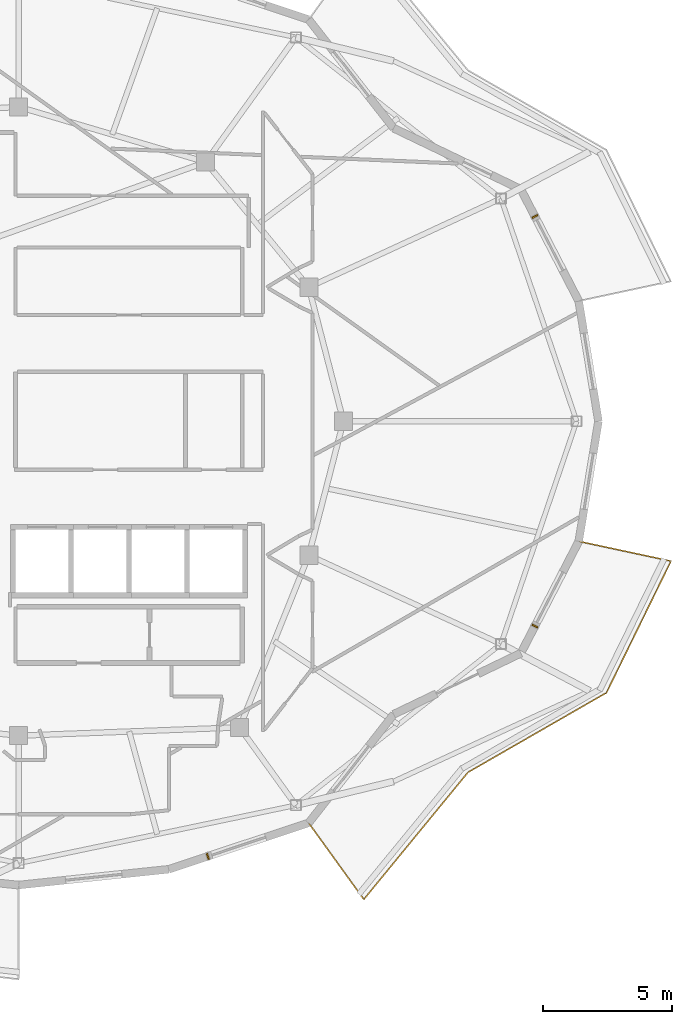
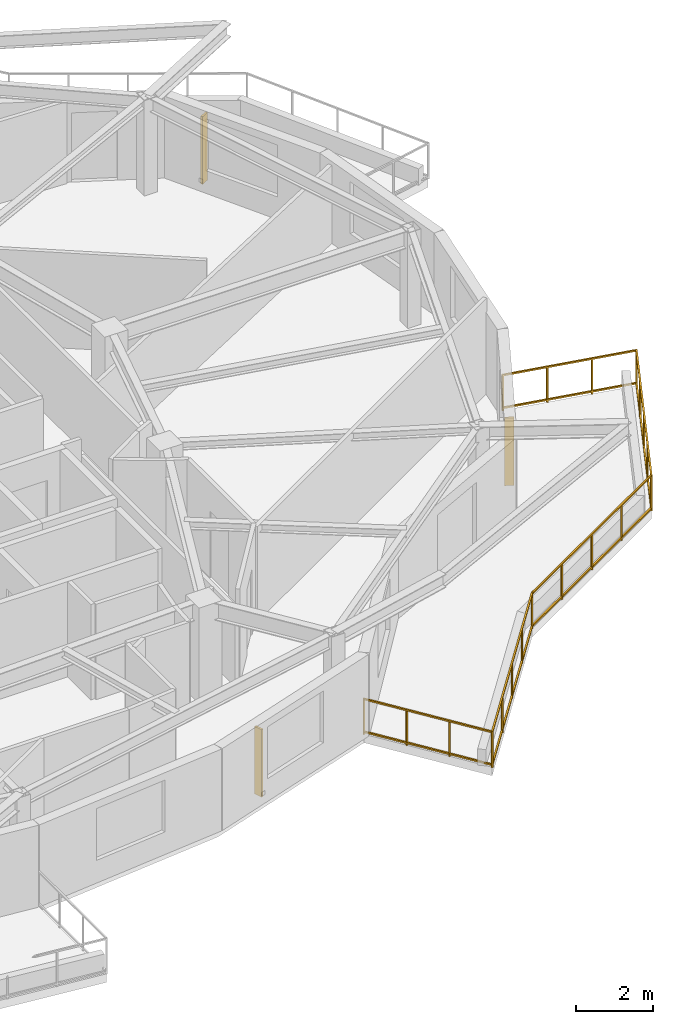
# One storey, part 13 of 14: 3 shading devices, 1 railing.
"""IFC4 building model written with IfcOpenShell, lengths in metres."""

import ifcopenshell
import ifcopenshell.guid

model = None  # the IFC model being written
_history = None  # IfcOwnerHistory: only IFC2X3 demands one
_inside = {}  # id of a spatial element -> (the spatial element, [elements in it])
_under = {}  # id of a project, library or spatial element -> (it, [spatial elements below it])
_declared = {}  # id of a project -> (the project, [libraries it declares])
_typed = {}  # id of a type object -> (the type object, [elements of that type])
_made_of = {}  # id of a material, layer set ... -> (it, [elements and type objects made of it])


def new_model(schema):
    """Start an empty IFC model of exactly this schema.

    Asked for "IFC4X3", IfcOpenShell would pick the latest addendum, in which some entities
    have other attributes; the version numbers below select the first issue.
    IFC2X3 requires an IfcOwnerHistory on every rooted entity: one is made here for all.
    """
    global model, _history
    if schema == "IFC4X3":
        model = ifcopenshell.file(schema_version=(4, 3, 0, 0))
    else:
        model = ifcopenshell.file(schema=schema)
    _inside.clear()
    _under.clear()
    _declared.clear()
    _typed.clear()
    _made_of.clear()
    _history = None
    if model.schema == "IFC2X3":
        org = make("IfcOrganization", Name="unknown")
        user = make(
            "IfcPersonAndOrganization",
            ThePerson=make("IfcPerson", FamilyName="unknown"),
            TheOrganization=org,
        )
        app = make(
            "IfcApplication",
            ApplicationDeveloper=org,
            Version="unknown",
            ApplicationFullName="unknown",
            ApplicationIdentifier="unknown",
        )
        _history = make(
            "IfcOwnerHistory",
            OwningUser=user,
            OwningApplication=app,
            ChangeAction="ADDED",
            CreationDate=0,
        )
    return model


def make(cls, **values):
    """One entity of the class cls with the attributes given. An attribute that is None is left unset."""
    return model.create_entity(
        cls, **{name: value for name, value in values.items() if value is not None}
    )


def rooted(cls, **values):
    """An entity with a GlobalId (a new one), such as an element, a storey or a relation."""
    return make(cls, GlobalId=ifcopenshell.guid.new(), OwnerHistory=_history, **values)


def si_unit(unit_type, name, prefix=None):
    """IfcSIUnit, for example si_unit("LENGTHUNIT", "METRE", prefix="MILLI")."""
    return make("IfcSIUnit", UnitType=unit_type, Prefix=prefix, Name=name)


def assignment(units):
    """IfcUnitAssignment: the units of a project."""
    return None if units is None else make("IfcUnitAssignment", Units=units)


def point(xyz):
    """IfcCartesianPoint."""
    return None if xyz is None else make("IfcCartesianPoint", Coordinates=xyz)


def direction(xyz):
    """IfcDirection."""
    return None if xyz is None else make("IfcDirection", DirectionRatios=xyz)


def frame(location, z_axis=None, x_axis=None):
    """IfcAxis2Placement3D, a coordinate frame: its origin and axes. An axis left out is left unset."""
    return make(
        "IfcAxis2Placement3D",
        Location=point(location),
        Axis=direction(z_axis),
        RefDirection=direction(x_axis),
    )


def frame_2d(location, x_axis=None):
    """IfcAxis2Placement2D, a coordinate frame in the plane: its origin and x axis."""
    return make(
        "IfcAxis2Placement2D", Location=point(location), RefDirection=direction(x_axis)
    )


def origin():
    """The frame at (0, 0, 0) with its axes left unset."""
    return frame((0.0, 0.0, 0.0))


def origin_2d():
    """The frame at (0, 0) in the plane with its x axis left unset."""
    return frame_2d((0.0, 0.0))


def place(relative_to, where):
    """IfcLocalPlacement: puts the frame where relative to a parent placement (None: the world)."""
    return make(
        "IfcLocalPlacement", PlacementRelTo=relative_to, RelativePlacement=where
    )


def context(
    kind, dimensions, precision=None, world=None, true_north=None, identifier=None
):
    """IfcGeometricRepresentationContext, for example the 3D "Model" context."""
    return make(
        "IfcGeometricRepresentationContext",
        ContextIdentifier=identifier,
        ContextType=kind,
        CoordinateSpaceDimension=dimensions,
        Precision=precision,
        WorldCoordinateSystem=world,
        TrueNorth=true_north,
    )


def subcontext(parent, identifier, kind, view, scale=None):
    """IfcGeometricRepresentationSubContext, for example "Body" below "Model"."""
    return make(
        "IfcGeometricRepresentationSubContext",
        ContextIdentifier=identifier,
        ContextType=kind,
        ParentContext=parent,
        TargetScale=scale,
        TargetView=view,
    )


def project(units=None, contexts=None):
    """IfcProject with its units and contexts."""
    return rooted(
        "IfcProject",
        Name="project",
        RepresentationContexts=contexts,
        UnitsInContext=assignment(units),
    )


def spatial(cls, under=None, at=None, **own):
    """A site, building, storey or space (cls), placed at a placement, below another one or the project."""
    s = rooted(cls, ObjectPlacement=at, **own)
    if under is not None:
        _under.setdefault(under.id(), (under, []))[1].append(s)
    return s


def profile(cls, at=None, kind="AREA", **sizes):
    """A parametric profile (cls). Its sizes go by their IFC names, for example OverallWidth=200.0."""
    return make(cls, ProfileType=kind, Position=at, **sizes)


def rectangle(**sizes):
    """IfcRectangleProfileDef."""
    return profile("IfcRectangleProfileDef", **sizes)


def extrude(swept, where, along, depth):
    """IfcExtrudedAreaSolid: the profile swept, set in the frame where, extruded along a direction by depth."""
    return make(
        "IfcExtrudedAreaSolid",
        SweptArea=swept,
        Position=where,
        ExtrudedDirection=direction(along),
        Depth=depth,
    )


def shape(context_of_items, identifier, shape_type, items):
    """IfcShapeRepresentation: the items that make up one representation, for example the "Body"."""
    return make(
        "IfcShapeRepresentation",
        ContextOfItems=context_of_items,
        RepresentationIdentifier=identifier,
        RepresentationType=shape_type,
        Items=items,
    )


def material(Name=None, Category=None):
    """IfcMaterial."""
    return make("IfcMaterial", Name=Name, Category=Category)


def made_of(thing, what):
    """Note that an element or type object is made of a material, layer set ...; save() writes the relation."""
    if what is not None:
        _made_of.setdefault(what.id(), (what, []))[1].append(thing)
    return thing


def type_object(cls, material=None, **own):
    """A type object (cls), such as IfcWallType, which elements share."""
    return made_of(rooted(cls, **own), material)


def element(
    cls,
    number,
    at=None,
    inside=None,
    cuts=None,
    type_object=None,
    material=None,
    context=None,
    identifier="Body",
    shape_type=None,
    held_by="IfcProductDefinitionShape",
    body=None,
    shapes=None,
    **own,
):
    """One element of the class cls, such as IfcWall. Its Tag is "e" and its number.

    at: its placement. inside: the storey or other place that contains it. cuts: it is an
    opening in that element (IfcRelVoidsElement). A single representation is given by context,
    identifier, shape_type and body (its items); several are given by shapes. held_by: the class
    of the entity that holds the representations. save() writes the other relations.
    """
    e = rooted(cls, Tag="e%d" % number, ObjectPlacement=at, **own)
    if body is not None:
        shapes = [shape(context, identifier, shape_type, body)]
    if shapes is not None:
        e.Representation = make(held_by, Representations=shapes)
    if inside is not None:
        _inside.setdefault(inside.id(), (inside, []))[1].append(e)
    if cuts is not None:
        rooted(
            "IfcRelVoidsElement", RelatingBuildingElement=cuts, RelatedOpeningElement=e
        )
    if type_object is not None:
        _typed.setdefault(type_object.id(), (type_object, []))[1].append(e)
    return made_of(e, material)


def aggregate(whole, parts):
    """IfcRelAggregates: a whole, such as a stair, and the parts it consists of."""
    return rooted("IfcRelAggregates", RelatingObject=whole, RelatedObjects=parts)


def save(model, path):
    """Write the relations noted so far, then the file.

    IfcRelAggregates (storeys below a building ...), IfcRelContainedInSpatialStructure (elements
    in a storey), IfcRelDefinesByType, IfcRelAssociatesMaterial and IfcRelDeclares: one each for
    every whole, place, type object, material and project.
    """
    for whole, parts in _under.values():
        aggregate(whole, parts)
    for where, things in _inside.values():
        rooted(
            "IfcRelContainedInSpatialStructure",
            RelatedElements=things,
            RelatingStructure=where,
        )
    for kind, things in _typed.values():
        rooted("IfcRelDefinesByType", RelatedObjects=things, RelatingType=kind)
    for what, things in _made_of.values():
        rooted("IfcRelAssociatesMaterial", RelatedObjects=things, RelatingMaterial=what)
    for by, libraries in _declared.values():
        rooted("IfcRelDeclares", RelatingContext=by, RelatedDefinitions=libraries)
    model.write(path)


model = new_model("IFC4")

# Units and contexts
model_context = context("Model", 3, precision=1e-05, world=origin(), true_north=direction((0.0, 1.0)))
body_context = subcontext(model_context, "Body", "Model", "MODEL_VIEW")
ifc_project = project(units=[si_unit("LENGTHUNIT", "METRE"), si_unit("AREAUNIT", "SQUARE_METRE"), si_unit("VOLUMEUNIT", "CUBIC_METRE"), si_unit("PLANEANGLEUNIT", "RADIAN"), si_unit("MASSUNIT", "GRAM", prefix="KILO")], contexts=[model_context])

# Site, building, storey
site_placement = place(None, origin())
site = spatial("IfcSite", under=ifc_project, at=site_placement, CompositionType="ELEMENT")
building_placement = place(site_placement, origin())
building = spatial("IfcBuilding", under=site, at=building_placement, Name="Kolvaren Gate Tower and Convention Centre", CompositionType="ELEMENT")
storey_placement = place(building_placement, frame((0.0, 0.0, 252.5)))
storey = spatial("IfcBuildingStorey", under=building, at=storey_placement, Name="L68", CompositionType="ELEMENT", Elevation=252.5)

# Railing
ifc_material_1 = material(Name="Brushed Stainless Steel Grade 316L", Category="steel")
railing_type = type_object("IfcRailingType", Name="ARCH-RL-GUARD-1150", PredefinedType="GUARDRAIL", material=ifc_material_1)
railing_placement = place(storey_placement, frame((41.375, 11.41162109375, 0.0)))
element("IfcRailing", 1, at=railing_placement, inside=storey, type_object=railing_type, Name="Tower L68 Terrace Perimeter Guardrail GR-4", PredefinedType="GUARDRAIL", context=body_context, shape_type="SweptSolid", body=[
    extrude(rectangle(XDim=0.048095703125, YDim=0.048095703125, at=origin_2d()), frame((0.016357421875, -0.022705078125, 1.1259765625), z_axis=(0.585181217189, -0.810902548429, 0.0), x_axis=(0.810902548429, 0.585181217189, 0.0)), (0.0, 0.0, 1.0), 3.60400390625),
    extrude(rectangle(XDim=0.048095703125, YDim=0.048095703125, at=origin_2d()), frame((0.016357421875, -0.022705078125, 0.083984375), z_axis=(0.585181217189, -0.810902548429, 0.0), x_axis=(0.810902548429, 0.585181217189, 0.0)), (0.0, 0.0, 1.0), 3.60400390625),
    extrude(rectangle(XDim=0.048095703125, YDim=0.048095703125, at=origin_2d()), frame((2.15966796875, -2.9462890625, 1.1259765625), z_axis=(0.634050293942, 0.773291810866, 0.0), x_axis=(-0.773291810866, 0.634050293942, 0.0)), (0.0, 0.0, 1.0), 6.322509765625),
    extrude(rectangle(XDim=0.048095703125, YDim=0.048095703125, at=origin_2d()), frame((2.15966796875, -2.9462890625, 0.083984375), z_axis=(0.634050293942, 0.773291810866, 0.0), x_axis=(-0.773291810866, 0.634050293942, 0.0)), (0.0, 0.0, 1.0), 6.322509765625),
    extrude(rectangle(XDim=0.048095703125, YDim=0.048095703125, at=origin_2d()), frame((6.210693359375, 1.978515625, 1.1259765625), z_axis=(0.866894385595, 0.498491849706, 0.0), x_axis=(-0.498491849706, 0.866894385595, 0.0)), (0.0, 0.0, 1.0), 6.140869140625),
    extrude(rectangle(XDim=0.048095703125, YDim=0.048095703125, at=origin_2d()), frame((6.210693359375, 1.978515625, 0.083984375), z_axis=(0.866894385595, 0.498491849706, 0.0), x_axis=(-0.498491849706, 0.866894385595, 0.0)), (0.0, 0.0, 1.0), 6.140869140625),
    extrude(rectangle(XDim=0.048095703125, YDim=0.048095703125, at=origin_2d()), frame((11.57080078125, 5.078857421875, 1.1259765625), z_axis=(0.440058847499, 0.897968936399, 0.0), x_axis=(-0.897968936399, 0.440058847499, 0.0)), (0.0, 0.0, 1.0), 5.63330078125),
    extrude(rectangle(XDim=0.048095703125, YDim=0.048095703125, at=origin_2d()), frame((11.57080078125, 5.078857421875, 0.083984375), z_axis=(0.440058847499, 0.897968936399, 0.0), x_axis=(-0.897968936399, 0.440058847499, 0.0)), (0.0, 0.0, 1.0), 5.63330078125),
    extrude(rectangle(XDim=0.048095703125, YDim=0.048095703125, at=origin_2d()), frame((14.03466796875, 10.16845703125, 1.1259765625), z_axis=(-0.977788745232, 0.209592866525, 0.0), x_axis=(-0.209592866525, -0.977788745232, 0.0)), (0.0, 0.0, 1.0), 3.603759765625),
    extrude(rectangle(XDim=0.048095703125, YDim=0.048095703125, at=origin_2d()), frame((14.03466796875, 10.16845703125, 0.083984375), z_axis=(-0.977788745232, 0.209592866525, 0.0), x_axis=(-0.209592866525, -0.977788745232, 0.0)), (0.0, 0.0, 1.0), 3.603759765625),
    extrude(rectangle(XDim=0.0419921875, YDim=0.0419921875, at=origin_2d()), origin(), (0.0, 0.0, 1.0), 1.14990234375),
    extrude(rectangle(XDim=0.0419921875, YDim=0.0419921875, at=origin_2d()), frame((2.141845703125, -2.968017578125, 0.0)), (0.0, 0.0, 1.0), 1.14990234375),
    extrude(rectangle(XDim=0.0419921875, YDim=0.0419921875, at=origin_2d()), frame((0.7138671875, -0.9892578125, 0.0)), (0.0, 0.0, 1.0), 1.099853515625),
    extrude(rectangle(XDim=0.0419921875, YDim=0.0419921875, at=origin_2d()), frame((1.427978515625, -1.978759765625, 0.0)), (0.0, 0.0, 1.0), 1.099853515625),
    extrude(rectangle(XDim=0.0419921875, YDim=0.0419921875, at=origin_2d()), frame((6.186279296875, 1.964599609375, 0.0)), (0.0, 0.0, 1.0), 1.14990234375),
    extrude(rectangle(XDim=0.0419921875, YDim=0.0419921875, at=origin_2d()), frame((3.15283203125, -1.73486328125, 0.0)), (0.0, 0.0, 1.0), 1.099853515625),
    extrude(rectangle(XDim=0.0419921875, YDim=0.0419921875, at=origin_2d()), frame((4.1640625, -0.501708984375, 0.0)), (0.0, 0.0, 1.0), 1.099853515625),
    extrude(rectangle(XDim=0.0419921875, YDim=0.0419921875, at=origin_2d()), frame((5.17529296875, 0.7314453125, 0.0)), (0.0, 0.0, 1.0), 1.099853515625),
    extrude(rectangle(XDim=0.0419921875, YDim=0.0419921875, at=origin_2d()), frame((11.558349609375, 5.0537109375, 0.0)), (0.0, 0.0, 1.0), 1.14990234375),
    extrude(rectangle(XDim=0.0419921875, YDim=0.0419921875, at=origin_2d()), frame((7.529296875, 2.73681640625, 0.0)), (0.0, 0.0, 1.0), 1.099853515625),
    extrude(rectangle(XDim=0.0419921875, YDim=0.0419921875, at=origin_2d()), frame((8.872314453125, 3.50927734375, 0.0)), (0.0, 0.0, 1.0), 1.099853515625),
    extrude(rectangle(XDim=0.0419921875, YDim=0.0419921875, at=origin_2d()), frame((10.21533203125, 4.281494140625, 0.0)), (0.0, 0.0, 1.0), 1.099853515625),
    extrude(rectangle(XDim=0.0419921875, YDim=0.0419921875, at=origin_2d()), frame((14.06201171875, 10.16259765625, 0.0)), (0.0, 0.0, 1.0), 1.14990234375),
    extrude(rectangle(XDim=0.0419921875, YDim=0.0419921875, at=origin_2d()), frame((12.184326171875, 6.3310546875, 0.0)), (0.0, 0.0, 1.0), 1.099853515625),
    extrude(rectangle(XDim=0.0419921875, YDim=0.0419921875, at=origin_2d()), frame((12.81005859375, 7.608154296875, 0.0)), (0.0, 0.0, 1.0), 1.099853515625),
    extrude(rectangle(XDim=0.0419921875, YDim=0.0419921875, at=origin_2d()), frame((13.43603515625, 8.88525390625, 0.0)), (0.0, 0.0, 1.0), 1.099853515625),
    extrude(rectangle(XDim=0.0419921875, YDim=0.0419921875, at=origin_2d()), frame((10.4833984375, 10.9296875, 0.0)), (0.0, 0.0, 1.0), 1.14990234375),
    extrude(rectangle(XDim=0.0419921875, YDim=0.0419921875, at=origin_2d()), frame((12.869140625, 10.418212890625, 0.0)), (0.0, 0.0, 1.0), 1.099853515625),
    extrude(rectangle(XDim=0.0419921875, YDim=0.0419921875, at=origin_2d()), frame((11.67626953125, 10.674072265625, 0.0)), (0.0, 0.0, 1.0), 1.099853515625),
])

# Shading devices
ifc_material_2 = material(Name="Kiln-Fired Bogota Terracotta Ceramic Louvre Profile", Category="masonry")
shading_device_type = type_object("IfcShadingDeviceType", Name="ARCH-SHD-FIN-180", PredefinedType="JALOUSIE", material=ifc_material_2)
for number, where, z_axis, x_axis, name in (
    (2, (50.155029296875, 34.948486328125, 0.219970703125), (0.0, 0.0, 1.0), (0.459778260738, -0.888033755525, 0.0), "Ceramic Vertical Brise-Soleil Fin FN-L68-01"),
    (3, (37.46533203125, 10.115966796875, 0.219970703125), (0.0, 0.0, 1.0), (0.949241728595, 0.314547517385, 0.0), "Ceramic Vertical Brise-Soleil Fin FN-L68-19"),
    (4, (50.155029296875, 19.051513671875, 0.219970703125), (0.0, 0.0, 1.0), (0.459778260738, 0.888033755525, 0.0), "Ceramic Vertical Brise-Soleil Fin FN-L68-22"),
):
    element("IfcShadingDevice", number, at=place(storey_placement, frame(where, z_axis=z_axis, x_axis=x_axis)), inside=storey, type_object=shading_device_type, Name=name, PredefinedType="JALOUSIE", context=body_context, shape_type="SweptSolid", body=[
        extrude(rectangle(XDim=0.06005859375, YDim=0.239990234375, at=origin_2d()), origin(), (0.0, 0.0, 1.0), 2.14990234375),
    ])

save(model, "model.ifc")
